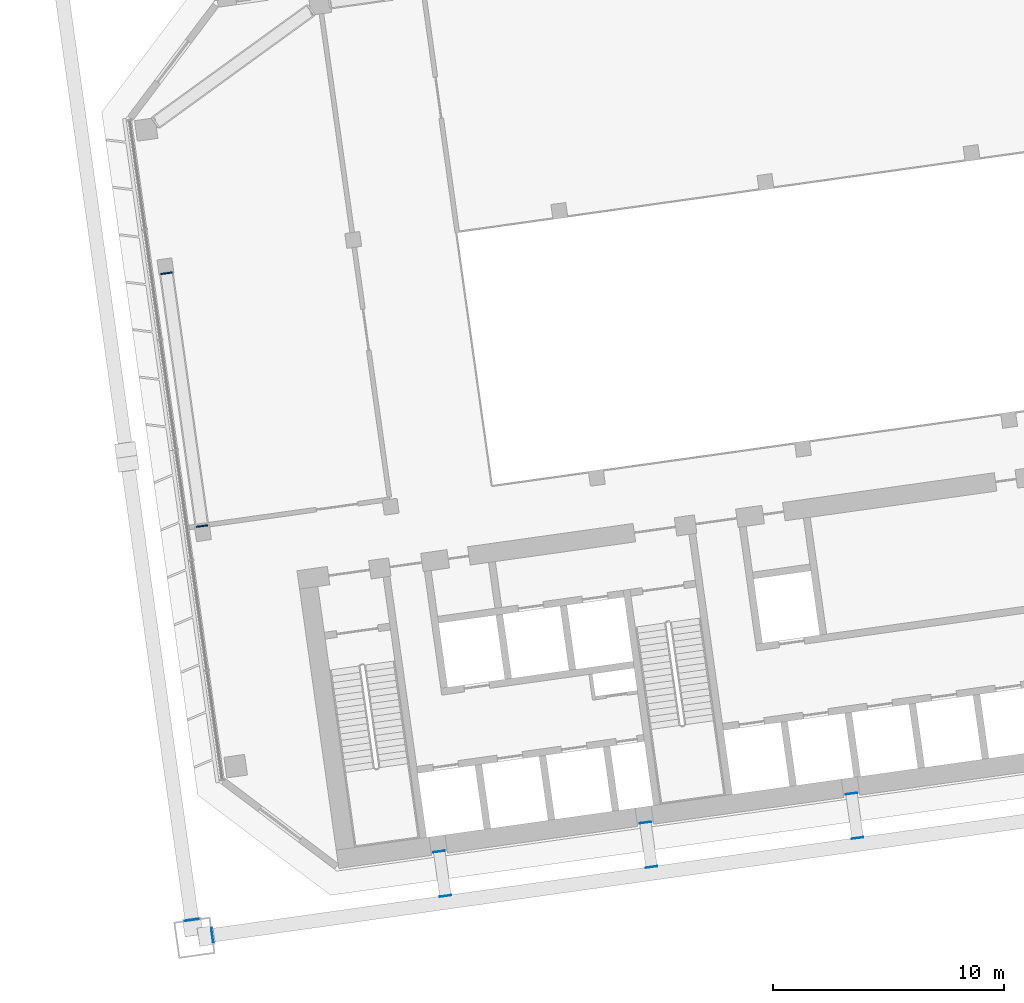
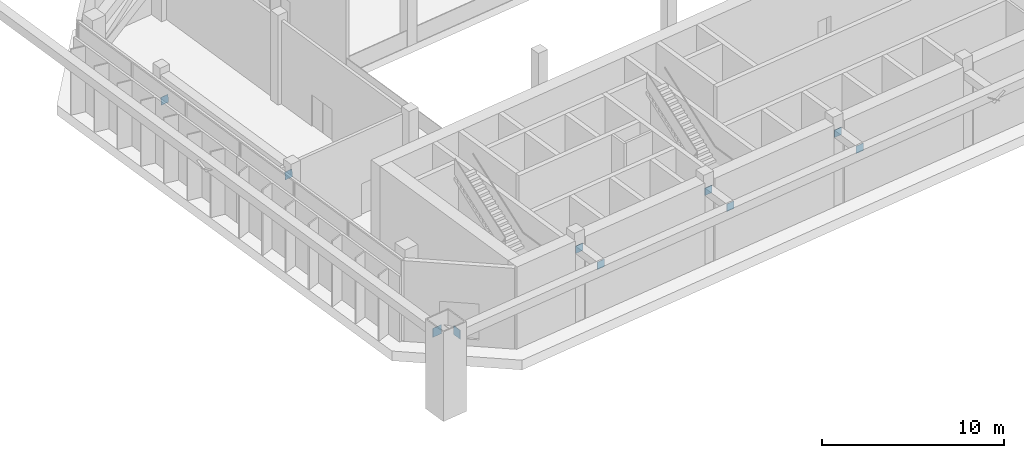
# One storey, part 35 of 41: 10 discrete accessories.
"""IFC4 building model written with IfcOpenShell, lengths in metres."""

from ifc_helpers import new_model, si_unit, direction, frame, origin, origin_2d, place, context, subcontext, project, spatial, rectangle, extrude, material, material_profile, profile_set, type_object, element, save


model = new_model("IFC4")

# Units and contexts
model_context = context("Model", 3, precision=1e-05, world=origin(), true_north=direction((0.0, 1.0)))
body_context = subcontext(model_context, "Body", "Model", "MODEL_VIEW")
ifc_project = project(units=[si_unit("LENGTHUNIT", "METRE"), si_unit("AREAUNIT", "SQUARE_METRE"), si_unit("VOLUMEUNIT", "CUBIC_METRE"), si_unit("PLANEANGLEUNIT", "RADIAN"), si_unit("MASSUNIT", "GRAM", prefix="KILO")], contexts=[model_context])

# Site, building, storey
site_placement = place(None, origin())
site = spatial("IfcSite", under=ifc_project, at=site_placement, CompositionType="ELEMENT")
building_placement = place(site_placement, origin())
building = spatial("IfcBuilding", under=site, at=building_placement, Name="Mirante Cascada Hotel Towers", CompositionType="ELEMENT")
storey_placement = place(building_placement, frame((0.0, 0.0, 92.7)))
storey = spatial("IfcBuildingStorey", under=building, at=storey_placement, Name="L20", CompositionType="ELEMENT", Elevation=92.7)

# Discrete accessories
ifc_material_1 = material(Name="Steel ASTM A572 Gr 50", Category="steel")
ifc_material_profile_1 = material_profile(ifc_material_1, rectangle(XDim=0.5, YDim=0.5, at=origin_2d()), Name="Connection plate 500x500x25 ASTM A572 Gr 50")
ifc_profile_set_1 = profile_set([ifc_material_profile_1], Name="Steel ASTM A572 Gr 50")
discrete_accessory_type_1 = type_object("IfcDiscreteAccessoryType", Name="Connection plate 500x500x25 ASTM A572 Gr 50", PredefinedType="BRACKET", material=ifc_profile_set_1)
for number, where, z_axis, x_axis, name in (
    (1, (31.2699, -5.2877, 4.8512), (-0.136275, 0.9859898, -0.0961941), (-0.9905835, -0.1369099, 0.0), "Connection plate BT20D"),
    (2, (29.7334, 5.6449, 3.7512), (-0.136275, 0.9859898, -0.0961941), (-0.9905835, -0.1369099, 0.0), "Connection plate BT20D"),
):
    element("IfcDiscreteAccessory", number, at=place(storey_placement, frame(where, z_axis=z_axis, x_axis=x_axis)), inside=storey, type_object=discrete_accessory_type_1, Name=name, PredefinedType="BRACKET", context=body_context, shape_type="SweptSolid", body=[
        extrude(rectangle(XDim=0.5, YDim=0.5, at=origin_2d()), origin(), (0.0, 0.0, 1.0), 0.0249),
    ])
for number, where, z_axis, x_axis, name in (
    (3, (41.5243, -19.3323, 4.85), (0.1397442, -0.9901876, 0.0), (0.9901876, 0.1397442, 0.0), "Connection plate TIE"),
    (4, (41.7943, -21.2534, 4.85), (0.1397442, -0.9901876, 0.0), (0.9901876, 0.1397442, 0.0), "Connection plate TIE"),
    (5, (50.4368, -18.0797, 4.85), (0.1358263, -0.9907327, 0.0), (0.9907327, 0.1358263, 0.0), "Connection plate TIE"),
):
    element("IfcDiscreteAccessory", number, at=place(storey_placement, frame(where, z_axis=z_axis, x_axis=x_axis)), inside=storey, type_object=discrete_accessory_type_1, Name=name, PredefinedType="BRACKET", context=body_context, shape_type="SweptSolid", body=[
        extrude(rectangle(XDim=0.5, YDim=0.5, at=origin_2d()), origin(), (0.0, 0.0, 1.0), 0.025),
    ])
for number, where, z_axis, x_axis, name in (
    (6, (50.7068, -20.0009, 4.85), (0.136366, -0.9906585, 0.0), (0.9906585, 0.136366, 0.0), "Connection plate TIE"),
    (7, (59.3492, -16.8272, 4.85), (0.136366, -0.9906585, 0.0), (0.9906585, 0.136366, 0.0), "Connection plate TIE"),
):
    element("IfcDiscreteAccessory", number, at=place(storey_placement, frame(where, z_axis=z_axis, x_axis=x_axis)), inside=storey, type_object=discrete_accessory_type_1, Name=name, PredefinedType="BRACKET", context=body_context, shape_type="SweptSolid", body=[
        extrude(rectangle(XDim=0.5, YDim=0.5, at=origin_2d()), origin(), (0.0, 0.0, 1.0), 0.0249),
    ])
discrete_accessory_1_placement = place(storey_placement, frame((59.6192, -18.7483, 4.85), z_axis=(0.1358263, -0.9907327, 0.0), x_axis=(0.9907327, 0.1358263, 0.0)))
element("IfcDiscreteAccessory", 8, at=discrete_accessory_1_placement, inside=storey, type_object=discrete_accessory_type_1, Name="Connection plate TIE", PredefinedType="BRACKET", context=body_context, shape_type="SweptSolid", body=[
    extrude(rectangle(XDim=0.5, YDim=0.5, at=origin_2d()), origin(), (0.0, 0.0, 1.0), 0.025),
])
ifc_material_2 = material(Name="Steel ASTM A572 Gr 50", Category="steel")
ifc_material_profile_2 = material_profile(ifc_material_2, rectangle(XDim=0.6, YDim=0.6, at=origin_2d()), Name="Connection plate 600x600x25 ASTM A572 Gr 50")
ifc_profile_set_2 = profile_set([ifc_material_profile_2], Name="Steel ASTM A572 Gr 50")
discrete_accessory_type_2 = type_object("IfcDiscreteAccessoryType", Name="Connection plate 600x600x25 ASTM A572 Gr 50", PredefinedType="BRACKET", material=ifc_profile_set_2)
discrete_accessory_2_placement = place(storey_placement, frame((31.7021, -22.9672, 4.85), z_axis=(0.9901876, 0.1397442, 0.0), x_axis=(-0.1397442, 0.9901876, 0.0)))
element("IfcDiscreteAccessory", 9, at=discrete_accessory_2_placement, inside=storey, type_object=discrete_accessory_type_2, Name="Connection plate NCH", PredefinedType="BRACKET", context=body_context, shape_type="SweptSolid", body=[
    extrude(rectangle(XDim=0.6, YDim=0.6, at=origin_2d()), origin(), (0.0, 0.0, 1.0), 0.025),
])
discrete_accessory_3_placement = place(storey_placement, frame((30.8353, -22.3139, 4.85), z_axis=(-0.1402989, 0.9901092, 0.0), x_axis=(-0.9901092, -0.1402989, 0.0)))
element("IfcDiscreteAccessory", 10, at=discrete_accessory_3_placement, inside=storey, type_object=discrete_accessory_type_2, Name="Connection plate NCH", PredefinedType="BRACKET", context=body_context, shape_type="SweptSolid", body=[
    extrude(rectangle(XDim=0.6, YDim=0.6, at=origin_2d()), origin(), (0.0, 0.0, 1.0), 0.0249),
])

save(model, "model.ifc")
